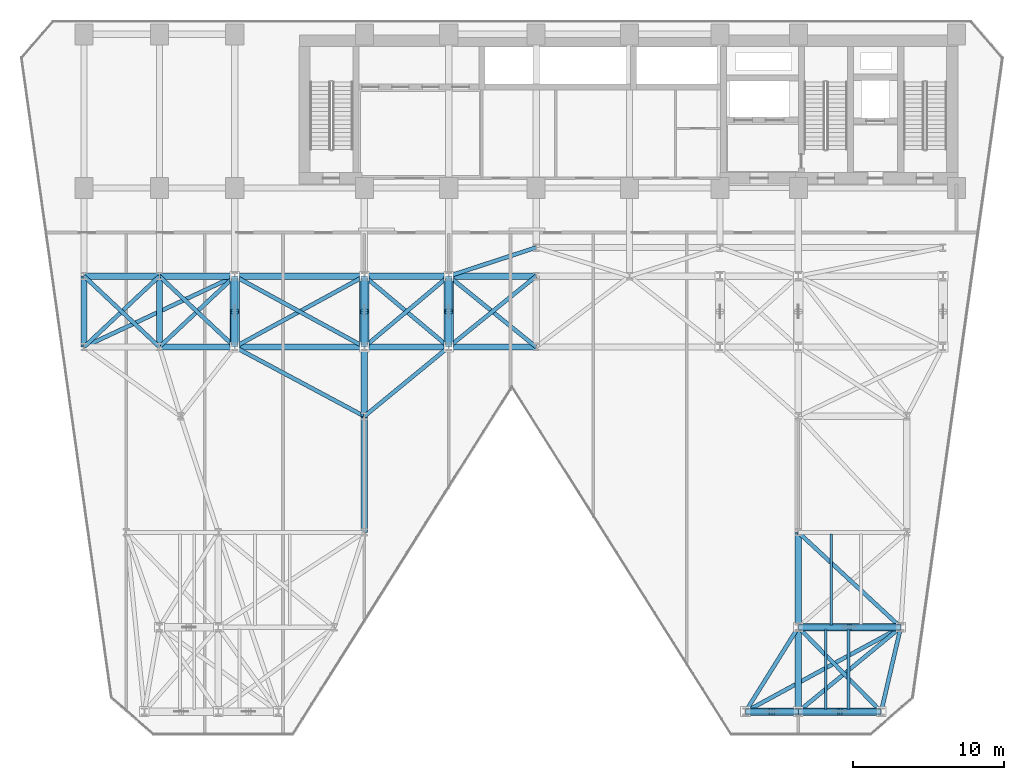
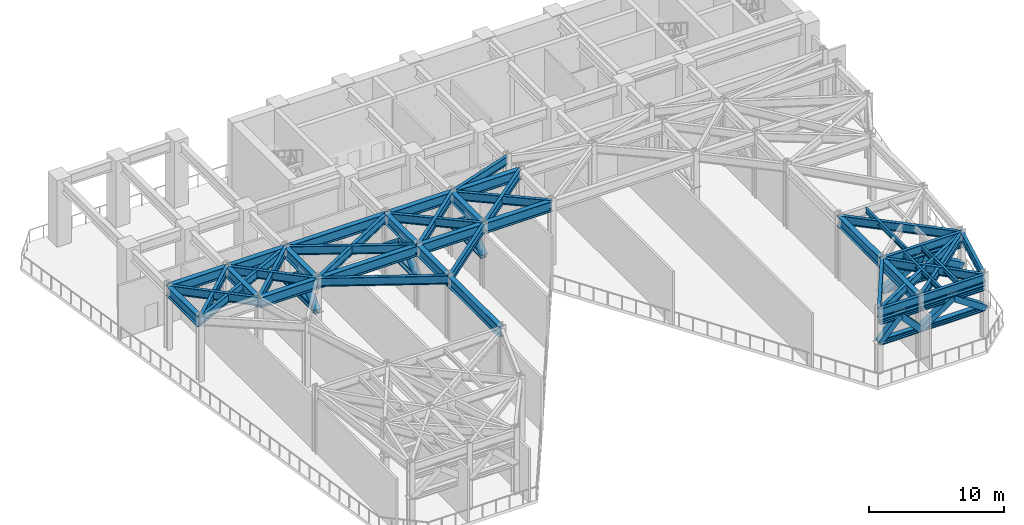
# One storey, part 2 of 12: 44 beams, 21 members.
"""IFC4 building model written with IfcOpenShell, lengths in metres."""

from ifc_helpers import new_model, si_unit, direction, frame, origin, origin_2d, place, context, subcontext, project, spatial, hollow_rectangle, hollow_circle, i_section, extrude, material, material_profile, profile_set, type_object, element, save


model = new_model("IFC4")

# Units and contexts
model_context = context("Model", 3, precision=1e-05, world=origin(), true_north=direction((0.0, 1.0)))
body_context = subcontext(model_context, "Body", "Model", "MODEL_VIEW")
ifc_project = project(units=[si_unit("LENGTHUNIT", "METRE"), si_unit("AREAUNIT", "SQUARE_METRE"), si_unit("VOLUMEUNIT", "CUBIC_METRE"), si_unit("PLANEANGLEUNIT", "RADIAN"), si_unit("MASSUNIT", "GRAM", prefix="KILO")], contexts=[model_context])

# Site, building, storey
site_placement = place(None, origin())
site = spatial("IfcSite", under=ifc_project, at=site_placement, CompositionType="ELEMENT")
building_placement = place(site_placement, origin())
building = spatial("IfcBuilding", under=site, at=building_placement, Name="Kravanh Interchange Tower", CompositionType="ELEMENT")
storey_placement = place(building_placement, frame((0.0, 0.0, 85.5)))
storey = spatial("IfcBuildingStorey", under=building, at=storey_placement, Name="L20", CompositionType="ELEMENT", Elevation=85.5)

# Members
ifc_material_1 = material(Name="Structural Steel S450", Category="steel")
ifc_material_profile_1 = material_profile(ifc_material_1, i_section(OverallWidth=0.424072265625, OverallDepth=0.47412109375, WebThickness=0.047607421875, FlangeThickness=0.0771484375, FilletRadius=0.030029296875, at=origin_2d()), Name="W14X426")
ifc_profile_set_1 = profile_set([ifc_material_profile_1], Name="Structural Steel S450")
member_type_1 = type_object("IfcMemberType", Name="Belt Truss Chord W14X426 Structural Steel S450", PredefinedType="CHORD", material=ifc_profile_set_1)
for number, where, z_axis, x_axis, name in (
    (1, (52.5, 2.60009765625, 2.75), (1.0, 0.0, 0.0), (0.0, 1.0, 0.0), "L20 BELT TRUSS BOTTOM CHORD 3"),
    (2, (52.5, 2.60009765625, 4.597900390625), (1.0, 0.0, 0.0), (0.0, 1.0, 0.0), "L20 BELT TRUSS TOP CHORD 3"),
):
    element("IfcMember", number, at=place(storey_placement, frame(where, z_axis=z_axis, x_axis=x_axis)), inside=storey, type_object=member_type_1, Name=name, PredefinedType="CHORD", context=body_context, shape_type="SweptSolid", body=[
        extrude(i_section(OverallWidth=0.424072265625, OverallDepth=0.47412109375, WebThickness=0.047607421875, FlangeThickness=0.0771484375, FilletRadius=0.030029296875, at=origin_2d()), origin(), (0.0, 0.0, 1.0), 3.5),
    ])
for number, where, z_axis, x_axis, name in (
    (3, (56.0, 2.60009765625, 2.75), (1.0, 0.0, 0.0), (0.0, 1.0, 0.0), "L20 BELT TRUSS BOTTOM CHORD 4"),
    (4, (56.0, 2.60009765625, 4.597900390625), (1.0, 0.0, 0.0), (0.0, 1.0, 0.0), "L20 BELT TRUSS TOP CHORD 4"),
):
    element("IfcMember", number, at=place(storey_placement, frame(where, z_axis=z_axis, x_axis=x_axis)), inside=storey, type_object=member_type_1, Name=name, PredefinedType="CHORD", context=body_context, shape_type="SweptSolid", body=[
        extrude(i_section(OverallWidth=0.424072265625, OverallDepth=0.47412109375, WebThickness=0.047607421875, FlangeThickness=0.0771484375, FilletRadius=0.030029296875, at=origin_2d()), origin(), (0.0, 0.0, 1.0), 5.5),
    ])
for number, where, z_axis, x_axis, name in (
    (5, (56.0, 8.199951171875, 2.75), (1.0, 0.0, 0.0), (0.0, 1.0, 0.0), "L20 BELT TRUSS BOTTOM CHORD 6"),
    (6, (56.0, 8.199951171875, 4.597900390625), (1.0, 0.0, 0.0), (0.0, 1.0, 0.0), "L20 BELT TRUSS TOP CHORD 6"),
):
    element("IfcMember", number, at=place(storey_placement, frame(where, z_axis=z_axis, x_axis=x_axis)), inside=storey, type_object=member_type_1, Name=name, PredefinedType="CHORD", context=body_context, shape_type="SweptSolid", body=[
        extrude(i_section(OverallWidth=0.424072265625, OverallDepth=0.47412109375, WebThickness=0.047607421875, FlangeThickness=0.0771484375, FilletRadius=0.030029296875, at=origin_2d()), origin(), (0.0, 0.0, 1.0), 6.800048828125),
    ])
ifc_material_2 = material(Name="Structural Steel S450", Category="steel")
ifc_material_profile_2 = material_profile(ifc_material_2, hollow_rectangle(XDim=0.5, YDim=0.5, WallThickness=0.02001953125, at=origin_2d()), Name="HSS500X500X20")
ifc_profile_set_2 = profile_set([ifc_material_profile_2], Name="Structural Steel S450")
member_type_2 = type_object("IfcMemberType", Name="Belt Truss Diagonal HSS500X500X20 Structural Steel S450", PredefinedType="BRACE", material=ifc_profile_set_2)
for number, where, z_axis, x_axis, name in (
    (7, (52.5, 2.60009765625, 2.75), (0.687611597589, 0.0, 0.726078708448), (0.0, 1.0, 0.0), "L20 BELT TRUSS DIAGONAL 3A"),
    (8, (56.0, 2.60009765625, 2.75), (-0.687611597589, 0.0, 0.726078708448), (0.0, -1.0, 0.0), "L20 BELT TRUSS DIAGONAL 3B"),
):
    element("IfcMember", number, at=place(storey_placement, frame(where, z_axis=z_axis, x_axis=x_axis)), inside=storey, type_object=member_type_2, Name=name, PredefinedType="BRACE", context=body_context, shape_type="SweptSolid", body=[
        extrude(hollow_rectangle(XDim=0.5, YDim=0.5, WallThickness=0.02001953125, at=origin_2d()), origin(), (0.0, 0.0, 1.0), 2.544921875),
    ])
for number, where, z_axis, x_axis, name in (
    (9, (56.0, 2.60009765625, 2.75), (0.83001548757, 0.0, 0.557740343165), (0.0, 1.0, 0.0), "L20 BELT TRUSS DIAGONAL 4A"),
    (10, (61.5, 2.60009765625, 2.75), (-0.83001548757, 0.0, 0.557740343165), (0.0, -1.0, 0.0), "L20 BELT TRUSS DIAGONAL 4B"),
):
    element("IfcMember", number, at=place(storey_placement, frame(where, z_axis=z_axis, x_axis=x_axis)), inside=storey, type_object=member_type_2, Name=name, PredefinedType="BRACE", context=body_context, shape_type="SweptSolid", body=[
        extrude(hollow_rectangle(XDim=0.5, YDim=0.5, WallThickness=0.02001953125, at=origin_2d()), origin(), (0.0, 0.0, 1.0), 3.313232421875),
    ])
member_1_placement = place(storey_placement, frame((56.0, 8.199951171875, 2.75), z_axis=(0.878610698613, 0.0, 0.47753873171), x_axis=(0.0, 1.0, 0.0)))
element("IfcMember", 11, at=member_1_placement, inside=storey, type_object=member_type_2, Name="L20 BELT TRUSS DIAGONAL 6A", PredefinedType="BRACE", context=body_context, shape_type="SweptSolid", body=[
    extrude(hollow_rectangle(XDim=0.5, YDim=0.5, WallThickness=0.02001953125, at=origin_2d()), origin(), (0.0, 0.0, 1.0), 3.86962890625),
])
member_2_placement = place(storey_placement, frame((62.800048828125, 8.199951171875, 2.75), z_axis=(-0.878625084981, 0.0, 0.477512261666), x_axis=(0.0, -1.0, 0.0)))
element("IfcMember", 12, at=member_2_placement, inside=storey, type_object=member_type_2, Name="L20 BELT TRUSS DIAGONAL 6B", PredefinedType="BRACE", context=body_context, shape_type="SweptSolid", body=[
    extrude(hollow_rectangle(XDim=0.5, YDim=0.5, WallThickness=0.02001953125, at=origin_2d()), origin(), (0.0, 0.0, 1.0), 3.869873046875),
])

# Beams
ifc_material_3 = material(Name="Structural Steel S355", Category="steel")
ifc_material_profile_3 = material_profile(ifc_material_3, i_section(OverallWidth=0.41796875, OverallDepth=0.927001953125, WebThickness=0.019287109375, FlangeThickness=0.031982421875, FilletRadius=0.028076171875, at=origin_2d()), Name="W36X231")
ifc_profile_set_3 = profile_set([ifc_material_profile_3], Name="Structural Steel S355")
beam_type_1 = type_object("IfcBeamType", Name="Floor Beam W36X231 Structural Steel S355", PredefinedType="BEAM", material=ifc_profile_set_3)
beam_1_placement = place(storey_placement, frame((56.0, 14.5, 5.281494140625), z_axis=(0.0, -1.0, 0.0), x_axis=(1.0, 0.0, 0.0)))
element("IfcBeam", 13, at=beam_1_placement, inside=storey, type_object=beam_type_1, Name="L20 Primary Floor Girder 42", PredefinedType="BEAM", context=body_context, shape_type="SweptSolid", body=[
    extrude(i_section(OverallWidth=0.41796875, OverallDepth=0.927001953125, WebThickness=0.019287109375, FlangeThickness=0.031982421875, FilletRadius=0.028076171875, at=origin_2d()), origin(), (0.0, 0.0, 1.0), 6.300048828125),
])
beam_2_placement = place(storey_placement, frame((27.199951171875, 22.199951171875, 5.281494140625), z_axis=(0.0, 1.0, 0.0), x_axis=(-1.0, 0.0, 0.0)))
element("IfcBeam", 14, at=beam_2_placement, inside=storey, type_object=beam_type_1, Name="L20 Primary Floor Girder 54", PredefinedType="BEAM", context=body_context, shape_type="SweptSolid", body=[
    extrude(i_section(OverallWidth=0.41796875, OverallDepth=0.927001953125, WebThickness=0.019287109375, FlangeThickness=0.031982421875, FilletRadius=0.028076171875, at=origin_2d()), origin(), (0.0, 0.0, 1.0), 4.60009765625),
])
beam_3_placement = place(storey_placement, frame((27.199951171875, 22.199951171875, 5.281494140625), z_axis=(0.0, -1.0, 0.0), x_axis=(1.0, 0.0, 0.0)))
element("IfcBeam", 15, at=beam_3_placement, inside=storey, type_object=beam_type_1, Name="L20 Primary Floor Girder 56", PredefinedType="BEAM", context=body_context, shape_type="SweptSolid", body=[
    extrude(i_section(OverallWidth=0.41796875, OverallDepth=0.927001953125, WebThickness=0.019287109375, FlangeThickness=0.031982421875, FilletRadius=0.028076171875, at=origin_2d()), origin(), (0.0, 0.0, 1.0), 7.699951171875),
])
for number, where, z_axis, x_axis, name in (
    (16, (8.60009765625, 26.800048828125, 5.281494140625), (0.0, 1.0, 0.0), (-1.0, 0.0, 0.0), "L20 Primary Floor Girder 66"),
    (17, (13.60009765625, 26.800048828125, 5.281494140625), (0.0, 1.0, 0.0), (-1.0, 0.0, 0.0), "L20 Primary Floor Girder 70"),
):
    element("IfcBeam", number, at=place(storey_placement, frame(where, z_axis=z_axis, x_axis=x_axis)), inside=storey, type_object=beam_type_1, Name=name, PredefinedType="BEAM", context=body_context, shape_type="SweptSolid", body=[
        extrude(i_section(OverallWidth=0.41796875, OverallDepth=0.927001953125, WebThickness=0.019287109375, FlangeThickness=0.031982421875, FilletRadius=0.028076171875, at=origin_2d()), origin(), (0.0, 0.0, 1.0), 4.699951171875),
    ])
beam_4_placement = place(storey_placement, frame((13.60009765625, 26.800048828125, 5.281494140625), z_axis=(1.0, 0.0, 0.0), x_axis=(0.0, 1.0, 0.0)))
element("IfcBeam", 18, at=beam_4_placement, inside=storey, type_object=beam_type_1, Name="L20 Primary Floor Girder 71", PredefinedType="BEAM", context=body_context, shape_type="SweptSolid", body=[
    extrude(i_section(OverallWidth=0.41796875, OverallDepth=0.927001953125, WebThickness=0.019287109375, FlangeThickness=0.031982421875, FilletRadius=0.028076171875, at=origin_2d()), origin(), (0.0, 0.0, 1.0), 5.0),
])
beam_5_placement = place(storey_placement, frame((18.60009765625, 26.800048828125, 5.281494140625), z_axis=(0.0, 1.0, 0.0), x_axis=(-1.0, 0.0, 0.0)))
element("IfcBeam", 19, at=beam_5_placement, inside=storey, type_object=beam_type_1, Name="L20 Primary Floor Girder 74", PredefinedType="BEAM", context=body_context, shape_type="SweptSolid", body=[
    extrude(i_section(OverallWidth=0.41796875, OverallDepth=0.927001953125, WebThickness=0.019287109375, FlangeThickness=0.031982421875, FilletRadius=0.028076171875, at=origin_2d()), origin(), (0.0, 0.0, 1.0), 4.699951171875),
])
beam_6_placement = place(storey_placement, frame((18.60009765625, 26.800048828125, 5.281494140625), z_axis=(1.0, 0.0, 0.0), x_axis=(0.0, 1.0, 0.0)))
element("IfcBeam", 20, at=beam_6_placement, inside=storey, type_object=beam_type_1, Name="L20 Primary Floor Girder 76", PredefinedType="BEAM", context=body_context, shape_type="SweptSolid", body=[
    extrude(i_section(OverallWidth=0.41796875, OverallDepth=0.927001953125, WebThickness=0.019287109375, FlangeThickness=0.031982421875, FilletRadius=0.028076171875, at=origin_2d()), origin(), (0.0, 0.0, 1.0), 8.599853515625),
])
beam_7_placement = place(storey_placement, frame((27.199951171875, 26.800048828125, 5.281494140625), z_axis=(0.0, 1.0, 0.0), x_axis=(-1.0, 0.0, 0.0)))
element("IfcBeam", 21, at=beam_7_placement, inside=storey, type_object=beam_type_1, Name="L20 Primary Floor Girder 78", PredefinedType="BEAM", context=body_context, shape_type="SweptSolid", body=[
    extrude(i_section(OverallWidth=0.41796875, OverallDepth=0.927001953125, WebThickness=0.019287109375, FlangeThickness=0.031982421875, FilletRadius=0.028076171875, at=origin_2d()), origin(), (0.0, 0.0, 1.0), 4.699951171875),
])
beam_8_placement = place(storey_placement, frame((27.199951171875, 26.800048828125, 5.281494140625), z_axis=(1.0, 0.0, 0.0), x_axis=(0.0, 1.0, 0.0)))
element("IfcBeam", 22, at=beam_8_placement, inside=storey, type_object=beam_type_1, Name="L20 Primary Floor Girder 79", PredefinedType="BEAM", context=body_context, shape_type="SweptSolid", body=[
    extrude(i_section(OverallWidth=0.41796875, OverallDepth=0.927001953125, WebThickness=0.019287109375, FlangeThickness=0.031982421875, FilletRadius=0.028076171875, at=origin_2d()), origin(), (0.0, 0.0, 1.0), 5.60009765625),
])
beam_9_placement = place(storey_placement, frame((32.800048828125, 26.800048828125, 5.281494140625), z_axis=(0.0, 1.0, 0.0), x_axis=(-1.0, 0.0, 0.0)))
element("IfcBeam", 23, at=beam_9_placement, inside=storey, type_object=beam_type_1, Name="L20 Primary Floor Girder 82", PredefinedType="BEAM", context=body_context, shape_type="SweptSolid", body=[
    extrude(i_section(OverallWidth=0.41796875, OverallDepth=0.927001953125, WebThickness=0.019287109375, FlangeThickness=0.031982421875, FilletRadius=0.028076171875, at=origin_2d()), origin(), (0.0, 0.0, 1.0), 4.699951171875),
])
beam_10_placement = place(storey_placement, frame((32.800048828125, 26.800048828125, 5.281494140625), z_axis=(1.0, 0.0, 0.0), x_axis=(0.0, 1.0, 0.0)))
element("IfcBeam", 24, at=beam_10_placement, inside=storey, type_object=beam_type_1, Name="L20 Primary Floor Girder 83", PredefinedType="BEAM", context=body_context, shape_type="SweptSolid", body=[
    extrude(i_section(OverallWidth=0.41796875, OverallDepth=0.927001953125, WebThickness=0.019287109375, FlangeThickness=0.031982421875, FilletRadius=0.028076171875, at=origin_2d()), origin(), (0.0, 0.0, 1.0), 5.800048828125),
])
for number, where, z_axis, x_axis, name in (
    (25, (8.60009765625, 31.5, 5.281494140625), (1.0, 0.0, 0.0), (0.0, 1.0, 0.0), "L20 Primary Floor Girder 100"),
    (26, (13.60009765625, 31.5, 5.281494140625), (1.0, 0.0, 0.0), (0.0, 1.0, 0.0), "L20 Primary Floor Girder 101"),
):
    element("IfcBeam", number, at=place(storey_placement, frame(where, z_axis=z_axis, x_axis=x_axis)), inside=storey, type_object=beam_type_1, Name=name, PredefinedType="BEAM", context=body_context, shape_type="SweptSolid", body=[
        extrude(i_section(OverallWidth=0.41796875, OverallDepth=0.927001953125, WebThickness=0.019287109375, FlangeThickness=0.031982421875, FilletRadius=0.028076171875, at=origin_2d()), origin(), (0.0, 0.0, 1.0), 5.0),
    ])
beam_11_placement = place(storey_placement, frame((18.60009765625, 31.5, 5.281494140625), z_axis=(1.0, 0.0, 0.0), x_axis=(0.0, 1.0, 0.0)))
element("IfcBeam", 27, at=beam_11_placement, inside=storey, type_object=beam_type_1, Name="L20 Primary Floor Girder 106", PredefinedType="BEAM", context=body_context, shape_type="SweptSolid", body=[
    extrude(i_section(OverallWidth=0.41796875, OverallDepth=0.927001953125, WebThickness=0.019287109375, FlangeThickness=0.031982421875, FilletRadius=0.028076171875, at=origin_2d()), origin(), (0.0, 0.0, 1.0), 8.599853515625),
])
beam_12_placement = place(storey_placement, frame((27.199951171875, 31.5, 5.281494140625), z_axis=(1.0, 0.0, 0.0), x_axis=(0.0, 1.0, 0.0)))
element("IfcBeam", 28, at=beam_12_placement, inside=storey, type_object=beam_type_1, Name="L20 Primary Floor Girder 107", PredefinedType="BEAM", context=body_context, shape_type="SweptSolid", body=[
    extrude(i_section(OverallWidth=0.41796875, OverallDepth=0.927001953125, WebThickness=0.019287109375, FlangeThickness=0.031982421875, FilletRadius=0.028076171875, at=origin_2d()), origin(), (0.0, 0.0, 1.0), 5.60009765625),
])
beam_13_placement = place(storey_placement, frame((32.800048828125, 31.5, 5.281494140625), z_axis=(1.0, 0.0, 0.0), x_axis=(0.0, 1.0, 0.0)))
element("IfcBeam", 29, at=beam_13_placement, inside=storey, type_object=beam_type_1, Name="L20 Primary Floor Girder 109", PredefinedType="BEAM", context=body_context, shape_type="SweptSolid", body=[
    extrude(i_section(OverallWidth=0.41796875, OverallDepth=0.927001953125, WebThickness=0.019287109375, FlangeThickness=0.031982421875, FilletRadius=0.028076171875, at=origin_2d()), origin(), (0.0, 0.0, 1.0), 5.800048828125),
])
beam_14_placement = place(storey_placement, frame((56.0, 2.60009765625, 5.281494140625), z_axis=(0.0, 1.0, 0.0), x_axis=(-1.0, 0.0, 0.0)))
element("IfcBeam", 30, at=beam_14_placement, inside=storey, type_object=beam_type_1, Name="L20 Primary Floor Girder 129", PredefinedType="BEAM", context=body_context, shape_type="SweptSolid", body=[
    extrude(i_section(OverallWidth=0.41796875, OverallDepth=0.927001953125, WebThickness=0.019287109375, FlangeThickness=0.031982421875, FilletRadius=0.028076171875, at=origin_2d()), origin(), (0.0, 0.0, 1.0), 5.599853515625),
])
ifc_material_4 = material(Name="Structural Steel S355", Category="steel")
ifc_material_profile_4 = material_profile(ifc_material_4, i_section(OverallWidth=0.18994140625, OverallDepth=0.45703125, WebThickness=0.009033203125, FlangeThickness=0.014404296875, FilletRadius=0.01806640625, at=origin_2d()), Name="W18X50")
ifc_profile_set_4 = profile_set([ifc_material_profile_4], Name="Structural Steel S355")
beam_type_2 = type_object("IfcBeamType", Name="Floor Joist W18X50 Structural Steel S355", PredefinedType="JOIST", material=ifc_profile_set_4)
for number, where, z_axis, x_axis, name in (
    (31, (57.825927734375, 2.728515625, 5.5166015625), (0.0, 1.0, 0.0), (-1.0, 0.0, 0.0), "L20 Secondary Floor Joist 5"),
    (32, (59.337890625, 2.728515625, 5.5166015625), (0.0, 1.0, 0.0), (-1.0, 0.0, 0.0), "L20 Secondary Floor Joist 6"),
):
    element("IfcBeam", number, at=place(storey_placement, frame(where, z_axis=z_axis, x_axis=x_axis)), inside=storey, type_object=beam_type_2, Name=name, PredefinedType="JOIST", context=body_context, shape_type="SweptSolid", body=[
        extrude(i_section(OverallWidth=0.18994140625, OverallDepth=0.45703125, WebThickness=0.009033203125, FlangeThickness=0.014404296875, FilletRadius=0.01806640625, at=origin_2d()), origin(), (0.0, 0.0, 1.0), 5.343017578125),
    ])
beam_15_placement = place(storey_placement, frame((58.18994140625, 8.32861328125, 5.5166015625), z_axis=(0.0, 1.0, 0.0), x_axis=(-1.0, 0.0, 0.0)))
element("IfcBeam", 33, at=beam_15_placement, inside=storey, type_object=beam_type_2, Name="L20 Secondary Floor Joist 11", PredefinedType="JOIST", context=body_context, shape_type="SweptSolid", body=[
    extrude(i_section(OverallWidth=0.18994140625, OverallDepth=0.45703125, WebThickness=0.009033203125, FlangeThickness=0.014404296875, FilletRadius=0.01806640625, at=origin_2d()), origin(), (0.0, 0.0, 1.0), 6.04296875),
])
ifc_material_5 = material(Name="Structural Steel S355", Category="steel")
ifc_material_profile_5 = material_profile(ifc_material_5, i_section(OverallWidth=0.26708984375, OverallDepth=0.761962890625, WebThickness=0.014404296875, FlangeThickness=0.021484375, FilletRadius=0.02490234375, at=origin_2d()), Name="W30X116")
ifc_profile_set_5 = profile_set([ifc_material_profile_5], Name="Structural Steel S355")
beam_type_3 = type_object("IfcBeamType", Name="Floor Spandrel W30X116 Structural Steel S355", PredefinedType="SPANDREL", material=ifc_profile_set_5)
beam_16_placement = place(storey_placement, frame((56.0, 14.5, 5.364013671875), z_axis=(0.733561267923, -0.679623326706, 0.0), x_axis=(0.679623326706, 0.733561267923, 0.0)))
element("IfcBeam", 34, at=beam_16_placement, inside=storey, type_object=beam_type_3, Name="L20 Perimeter Spandrel 45", PredefinedType="SPANDREL", context=body_context, shape_type="SweptSolid", body=[
    extrude(i_section(OverallWidth=0.26708984375, OverallDepth=0.761962890625, WebThickness=0.014404296875, FlangeThickness=0.021484375, FilletRadius=0.02490234375, at=origin_2d()), origin(), (0.0, 0.0, 1.0), 9.27001953125),
])
beam_17_placement = place(storey_placement, frame((27.199951171875, 22.199951171875, 5.364013671875), z_axis=(0.772725074305, 0.634740860147, 0.0), x_axis=(-0.634740860147, 0.772725074305, 0.0)))
element("IfcBeam", 35, at=beam_17_placement, inside=storey, type_object=beam_type_3, Name="L20 Perimeter Spandrel 55", PredefinedType="SPANDREL", context=body_context, shape_type="SweptSolid", body=[
    extrude(i_section(OverallWidth=0.26708984375, OverallDepth=0.761962890625, WebThickness=0.014404296875, FlangeThickness=0.021484375, FilletRadius=0.02490234375, at=origin_2d()), origin(), (0.0, 0.0, 1.0), 7.247314453125),
])
beam_18_placement = place(storey_placement, frame((27.199951171875, 22.199951171875, 5.364013671875), z_axis=(-0.881777136221, 0.471666282489, 0.0), x_axis=(-0.471666282489, -0.881777136221, 0.0)))
element("IfcBeam", 36, at=beam_18_placement, inside=storey, type_object=beam_type_3, Name="L20 Perimeter Spandrel 57", PredefinedType="SPANDREL", context=body_context, shape_type="SweptSolid", body=[
    extrude(i_section(OverallWidth=0.26708984375, OverallDepth=0.761962890625, WebThickness=0.014404296875, FlangeThickness=0.021484375, FilletRadius=0.02490234375, at=origin_2d()), origin(), (0.0, 0.0, 1.0), 9.7529296875),
])
beam_19_placement = place(storey_placement, frame((8.60009765625, 26.800048828125, 5.364013671875), z_axis=(0.728631219862, 0.684906231131, 0.0), x_axis=(-0.684906231131, 0.728631219862, 0.0)))
element("IfcBeam", 37, at=beam_19_placement, inside=storey, type_object=beam_type_3, Name="L20 Perimeter Spandrel 68", PredefinedType="SPANDREL", context=body_context, shape_type="SweptSolid", body=[
    extrude(i_section(OverallWidth=0.26708984375, OverallDepth=0.761962890625, WebThickness=0.014404296875, FlangeThickness=0.021484375, FilletRadius=0.02490234375, at=origin_2d()), origin(), (0.0, 0.0, 1.0), 6.862060546875),
])
beam_20_placement = place(storey_placement, frame((8.60009765625, 26.800048828125, 5.364013671875), z_axis=(0.905025402916, 0.425357520301, 0.0), x_axis=(-0.425357520301, 0.905025402916, 0.0)))
element("IfcBeam", 38, at=beam_20_placement, inside=storey, type_object=beam_type_3, Name="L20 Perimeter Spandrel 69", PredefinedType="SPANDREL", context=body_context, shape_type="SweptSolid", body=[
    extrude(i_section(OverallWidth=0.26708984375, OverallDepth=0.761962890625, WebThickness=0.014404296875, FlangeThickness=0.021484375, FilletRadius=0.02490234375, at=origin_2d()), origin(), (0.0, 0.0, 1.0), 11.04931640625),
])
for number, where, z_axis, x_axis, name in (
    (39, (13.60009765625, 26.800048828125, 5.364013671875), (-0.728631219862, 0.684906231131, 0.0), (-0.684906231131, -0.728631219862, 0.0), "L20 Perimeter Spandrel 72"),
    (40, (13.60009765625, 26.800048828125, 5.364013671875), (0.728631219862, 0.684906231131, 0.0), (-0.684906231131, 0.728631219862, 0.0), "L20 Perimeter Spandrel 73"),
    (41, (18.60009765625, 26.800048828125, 5.364013671875), (-0.728631219862, 0.684906231131, 0.0), (-0.684906231131, -0.728631219862, 0.0), "L20 Perimeter Spandrel 75"),
):
    element("IfcBeam", number, at=place(storey_placement, frame(where, z_axis=z_axis, x_axis=x_axis)), inside=storey, type_object=beam_type_3, Name=name, PredefinedType="SPANDREL", context=body_context, shape_type="SweptSolid", body=[
        extrude(i_section(OverallWidth=0.26708984375, OverallDepth=0.761962890625, WebThickness=0.014404296875, FlangeThickness=0.021484375, FilletRadius=0.02490234375, at=origin_2d()), origin(), (0.0, 0.0, 1.0), 6.862060546875),
    ])
beam_21_placement = place(storey_placement, frame((18.60009765625, 26.800048828125, 5.364013671875), z_axis=(0.877503996342, 0.479569323877, 0.0), x_axis=(-0.479569323877, 0.877503996342, 0.0)))
element("IfcBeam", 42, at=beam_21_placement, inside=storey, type_object=beam_type_3, Name="L20 Perimeter Spandrel 77", PredefinedType="SPANDREL", context=body_context, shape_type="SweptSolid", body=[
    extrude(i_section(OverallWidth=0.26708984375, OverallDepth=0.761962890625, WebThickness=0.014404296875, FlangeThickness=0.021484375, FilletRadius=0.02490234375, at=origin_2d()), origin(), (0.0, 0.0, 1.0), 9.80029296875),
])
beam_22_placement = place(storey_placement, frame((27.199951171875, 26.800048828125, 5.364013671875), z_axis=(0.765983062929, 0.642860752657, 0.0), x_axis=(-0.642860752657, 0.765983062929, 0.0)))
element("IfcBeam", 43, at=beam_22_placement, inside=storey, type_object=beam_type_3, Name="L20 Perimeter Spandrel 80", PredefinedType="SPANDREL", context=body_context, shape_type="SweptSolid", body=[
    extrude(i_section(OverallWidth=0.26708984375, OverallDepth=0.761962890625, WebThickness=0.014404296875, FlangeThickness=0.021484375, FilletRadius=0.02490234375, at=origin_2d()), origin(), (0.0, 0.0, 1.0), 7.31103515625),
])
beam_23_placement = place(storey_placement, frame((27.199951171875, 26.800048828125, 5.364013671875), z_axis=(-0.877503996342, 0.479569323877, 0.0), x_axis=(-0.479569323877, -0.877503996342, 0.0)))
element("IfcBeam", 44, at=beam_23_placement, inside=storey, type_object=beam_type_3, Name="L20 Perimeter Spandrel 81", PredefinedType="SPANDREL", context=body_context, shape_type="SweptSolid", body=[
    extrude(i_section(OverallWidth=0.26708984375, OverallDepth=0.761962890625, WebThickness=0.014404296875, FlangeThickness=0.021484375, FilletRadius=0.02490234375, at=origin_2d()), origin(), (0.0, 0.0, 1.0), 9.80029296875),
])
beam_24_placement = place(storey_placement, frame((32.800048828125, 26.800048828125, 5.364013671875), z_axis=(-0.765983062929, 0.642860752657, 0.0), x_axis=(-0.642860752657, -0.765983062929, 0.0)))
element("IfcBeam", 45, at=beam_24_placement, inside=storey, type_object=beam_type_3, Name="L20 Perimeter Spandrel 84", PredefinedType="SPANDREL", context=body_context, shape_type="SweptSolid", body=[
    extrude(i_section(OverallWidth=0.26708984375, OverallDepth=0.761962890625, WebThickness=0.014404296875, FlangeThickness=0.021484375, FilletRadius=0.02490234375, at=origin_2d()), origin(), (0.0, 0.0, 1.0), 7.31103515625),
])
for number, where, z_axis, x_axis, name in (
    (46, (32.800048828125, 26.800048828125, 5.364013671875), (0.776938619557, 0.629576350764, 0.0), (-0.629576350764, 0.776938619557, 0.0), "L20 Perimeter Spandrel 85"),
    (47, (38.60009765625, 26.800048828125, 5.364013671875), (-0.776938619557, 0.629576350764, 0.0), (-0.629576350764, -0.776938619557, 0.0), "L20 Perimeter Spandrel 87"),
):
    element("IfcBeam", number, at=place(storey_placement, frame(where, z_axis=z_axis, x_axis=x_axis)), inside=storey, type_object=beam_type_3, Name=name, PredefinedType="SPANDREL", context=body_context, shape_type="SweptSolid", body=[
        extrude(i_section(OverallWidth=0.26708984375, OverallDepth=0.761962890625, WebThickness=0.014404296875, FlangeThickness=0.021484375, FilletRadius=0.02490234375, at=origin_2d()), origin(), (0.0, 0.0, 1.0), 7.46533203125),
    ])
beam_25_placement = place(storey_placement, frame((32.800048828125, 31.5, 5.364013671875), z_axis=(0.950314536578, 0.31129131303, 0.0), x_axis=(-0.31129131303, 0.950314536578, 0.0)))
element("IfcBeam", 48, at=beam_25_placement, inside=storey, type_object=beam_type_3, Name="L20 Perimeter Spandrel 110", PredefinedType="SPANDREL", context=body_context, shape_type="SweptSolid", body=[
    extrude(i_section(OverallWidth=0.26708984375, OverallDepth=0.761962890625, WebThickness=0.014404296875, FlangeThickness=0.021484375, FilletRadius=0.02490234375, at=origin_2d()), origin(), (0.0, 0.0, 1.0), 6.103271484375),
])
beam_26_placement = place(storey_placement, frame((52.5, 2.60009765625, 5.364013671875), z_axis=(1.0, 0.0, 0.0), x_axis=(0.0, 1.0, 0.0)))
element("IfcBeam", 49, at=beam_26_placement, inside=storey, type_object=beam_type_3, Name="L20 Perimeter Spandrel 125", PredefinedType="SPANDREL", context=body_context, shape_type="SweptSolid", body=[
    extrude(i_section(OverallWidth=0.26708984375, OverallDepth=0.761962890625, WebThickness=0.014404296875, FlangeThickness=0.021484375, FilletRadius=0.02490234375, at=origin_2d()), origin(), (0.0, 0.0, 1.0), 3.5),
])
beam_27_placement = place(storey_placement, frame((52.5, 2.60009765625, 5.364013671875), z_axis=(0.530008909536, 0.847992072965, 0.0), x_axis=(-0.847992072965, 0.530008909536, 0.0)))
element("IfcBeam", 50, at=beam_27_placement, inside=storey, type_object=beam_type_3, Name="L20 Perimeter Spandrel 126", PredefinedType="SPANDREL", context=body_context, shape_type="SweptSolid", body=[
    extrude(i_section(OverallWidth=0.26708984375, OverallDepth=0.761962890625, WebThickness=0.014404296875, FlangeThickness=0.021484375, FilletRadius=0.02490234375, at=origin_2d()), origin(), (0.0, 0.0, 1.0), 6.603759765625),
])
beam_28_placement = place(storey_placement, frame((52.5, 2.60009765625, 5.364013671875), z_axis=(0.878552895081, 0.47764506754, 0.0), x_axis=(-0.47764506754, 0.878552895081, 0.0)))
element("IfcBeam", 51, at=beam_28_placement, inside=storey, type_object=beam_type_3, Name="L20 Perimeter Spandrel 127", PredefinedType="SPANDREL", context=body_context, shape_type="SweptSolid", body=[
    extrude(i_section(OverallWidth=0.26708984375, OverallDepth=0.761962890625, WebThickness=0.014404296875, FlangeThickness=0.021484375, FilletRadius=0.02490234375, at=origin_2d()), origin(), (0.0, 0.0, 1.0), 11.723876953125),
])
beam_29_placement = place(storey_placement, frame((56.0, 2.60009765625, 5.364013671875), z_axis=(1.0, 0.0, 0.0), x_axis=(0.0, 1.0, 0.0)))
element("IfcBeam", 52, at=beam_29_placement, inside=storey, type_object=beam_type_3, Name="L20 Perimeter Spandrel 128", PredefinedType="SPANDREL", context=body_context, shape_type="SweptSolid", body=[
    extrude(i_section(OverallWidth=0.26708984375, OverallDepth=0.761962890625, WebThickness=0.014404296875, FlangeThickness=0.021484375, FilletRadius=0.02490234375, at=origin_2d()), origin(), (0.0, 0.0, 1.0), 5.5),
])
beam_30_placement = place(storey_placement, frame((56.0, 2.60009765625, 5.364013671875), z_axis=(0.771940635711, 0.635694623965, 0.0), x_axis=(-0.635694623965, 0.771940635711, 0.0)))
element("IfcBeam", 53, at=beam_30_placement, inside=storey, type_object=beam_type_3, Name="L20 Perimeter Spandrel 130", PredefinedType="SPANDREL", context=body_context, shape_type="SweptSolid", body=[
    extrude(i_section(OverallWidth=0.26708984375, OverallDepth=0.761962890625, WebThickness=0.014404296875, FlangeThickness=0.021484375, FilletRadius=0.02490234375, at=origin_2d()), origin(), (0.0, 0.0, 1.0), 8.80908203125),
])
beam_31_placement = place(storey_placement, frame((61.5, 2.60009765625, 5.364013671875), z_axis=(0.226143379252, 0.974094026273, 0.0), x_axis=(-0.974094026273, 0.226143379252, 0.0)))
element("IfcBeam", 54, at=beam_31_placement, inside=storey, type_object=beam_type_3, Name="L20 Perimeter Spandrel 131", PredefinedType="SPANDREL", context=body_context, shape_type="SweptSolid", body=[
    extrude(i_section(OverallWidth=0.26708984375, OverallDepth=0.761962890625, WebThickness=0.014404296875, FlangeThickness=0.021484375, FilletRadius=0.02490234375, at=origin_2d()), origin(), (0.0, 0.0, 1.0), 5.748779296875),
])
beam_32_placement = place(storey_placement, frame((61.5, 2.60009765625, 5.364013671875), z_axis=(-0.700717344595, 0.71343899738, 0.0), x_axis=(-0.71343899738, -0.700717344595, 0.0)))
element("IfcBeam", 55, at=beam_32_placement, inside=storey, type_object=beam_type_3, Name="L20 Perimeter Spandrel 132", PredefinedType="SPANDREL", context=body_context, shape_type="SweptSolid", body=[
    extrude(i_section(OverallWidth=0.26708984375, OverallDepth=0.761962890625, WebThickness=0.014404296875, FlangeThickness=0.021484375, FilletRadius=0.02490234375, at=origin_2d()), origin(), (0.0, 0.0, 1.0), 7.84912109375),
])
beam_33_placement = place(storey_placement, frame((56.0, 8.199951171875, 5.364013671875), z_axis=(1.0, 0.0, 0.0), x_axis=(0.0, 1.0, 0.0)))
element("IfcBeam", 56, at=beam_33_placement, inside=storey, type_object=beam_type_3, Name="L20 Perimeter Spandrel 142", PredefinedType="SPANDREL", context=body_context, shape_type="SweptSolid", body=[
    extrude(i_section(OverallWidth=0.26708984375, OverallDepth=0.761962890625, WebThickness=0.014404296875, FlangeThickness=0.021484375, FilletRadius=0.02490234375, at=origin_2d()), origin(), (0.0, 0.0, 1.0), 6.800048828125),
])

# Members
ifc_material_6 = material(Name="Structural Steel S450", Category="steel")
ifc_material_profile_6 = material_profile(ifc_material_6, i_section(OverallWidth=0.431884765625, OverallDepth=0.498046875, WebThickness=0.0556640625, FlangeThickness=0.0888671875, FilletRadius=0.030029296875, at=origin_2d()), Name="W14X500")
ifc_profile_set_6 = profile_set([ifc_material_profile_6], Name="Structural Steel S450")
member_type_3 = type_object("IfcMemberType", Name="Outrigger Truss Chord W14X500 Structural Steel S450", PredefinedType="CHORD", material=ifc_profile_set_6)
for number, where, z_axis, x_axis, name in (
    (57, (18.60009765625, 31.5, 2.75), (0.0, -1.0, 0.0), (1.0, 0.0, 0.0), "L20 OUTRIGGER TRUSS BOTTOM CHORD 1"),
    (58, (27.199951171875, 31.5, 2.75), (0.0, -1.0, 0.0), (1.0, 0.0, 0.0), "L20 OUTRIGGER TRUSS BOTTOM CHORD 2"),
    (59, (32.800048828125, 31.5, 2.75), (0.0, -1.0, 0.0), (1.0, 0.0, 0.0), "L20 OUTRIGGER TRUSS BOTTOM CHORD 3"),
):
    element("IfcMember", number, at=place(storey_placement, frame(where, z_axis=z_axis, x_axis=x_axis)), inside=storey, type_object=member_type_3, Name=name, PredefinedType="CHORD", context=body_context, shape_type="SweptSolid", body=[
        extrude(i_section(OverallWidth=0.431884765625, OverallDepth=0.498046875, WebThickness=0.0556640625, FlangeThickness=0.0888671875, FilletRadius=0.030029296875, at=origin_2d()), origin(), (0.0, 0.0, 1.0), 4.699951171875),
    ])
ifc_material_7 = material(Name="Structural Steel S450", Category="steel")
ifc_material_profile_7 = material_profile(ifc_material_7, hollow_circle(Radius=0.304931640625, WallThickness=0.02490234375, at=origin_2d()), Name="CHS610X25")
ifc_profile_set_7 = profile_set([ifc_material_profile_7], Name="Structural Steel S450")
member_type_4 = type_object("IfcMemberType", Name="Outrigger Truss Diagonal CHS610X25 Structural Steel S450", PredefinedType="USERDEFINED", material=ifc_profile_set_7)
for number, where, z_axis, x_axis, name in (
    (60, (18.60009765625, 31.5, 2.75), (0.0, -0.786091586315, 0.618110037068), (1.0, 0.0, 0.0), "L20 OUTRIGGER TRUSS DIAGONAL 1A"),
    (61, (18.60009765625, 26.800048828125, 2.75), (0.0, 0.786060383002, 0.618149718332), (-1.0, 0.0, 0.0), "L20 OUTRIGGER TRUSS DIAGONAL 1B"),
    (62, (27.199951171875, 31.5, 2.75), (0.0, -0.786091586315, 0.618110037068), (1.0, 0.0, 0.0), "L20 OUTRIGGER TRUSS DIAGONAL 2A"),
    (63, (27.199951171875, 26.800048828125, 2.75), (0.0, 0.786060383002, 0.618149718332), (-1.0, 0.0, 0.0), "L20 OUTRIGGER TRUSS DIAGONAL 2B"),
    (64, (32.800048828125, 31.5, 2.75), (0.0, -0.786091586315, 0.618110037068), (1.0, 0.0, 0.0), "L20 OUTRIGGER TRUSS DIAGONAL 3A"),
    (65, (32.800048828125, 26.800048828125, 2.75), (0.0, 0.786060383002, 0.618149718332), (-1.0, 0.0, 0.0), "L20 OUTRIGGER TRUSS DIAGONAL 3B"),
):
    element("IfcMember", number, at=place(storey_placement, frame(where, z_axis=z_axis, x_axis=x_axis)), inside=storey, type_object=member_type_4, Name=name, ObjectType="OUTRIGGER", PredefinedType="USERDEFINED", context=body_context, shape_type="SweptSolid", body=[
        extrude(hollow_circle(Radius=0.304931640625, WallThickness=0.02490234375, at=origin_2d()), origin(), (0.0, 0.0, 1.0), 2.989501953125),
    ])

save(model, "model.ifc")
